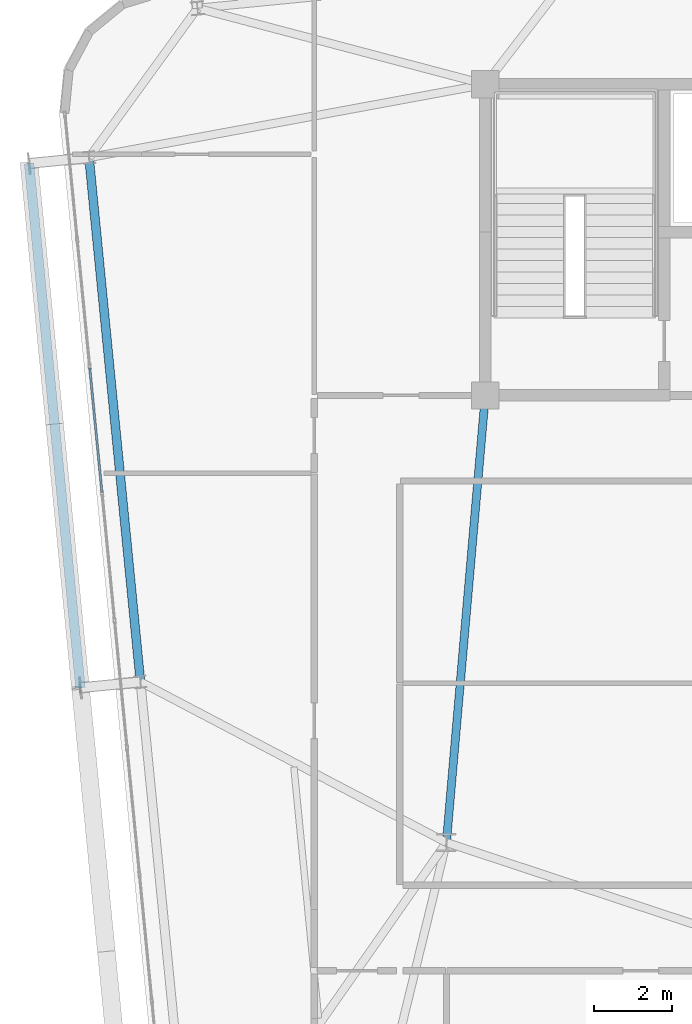
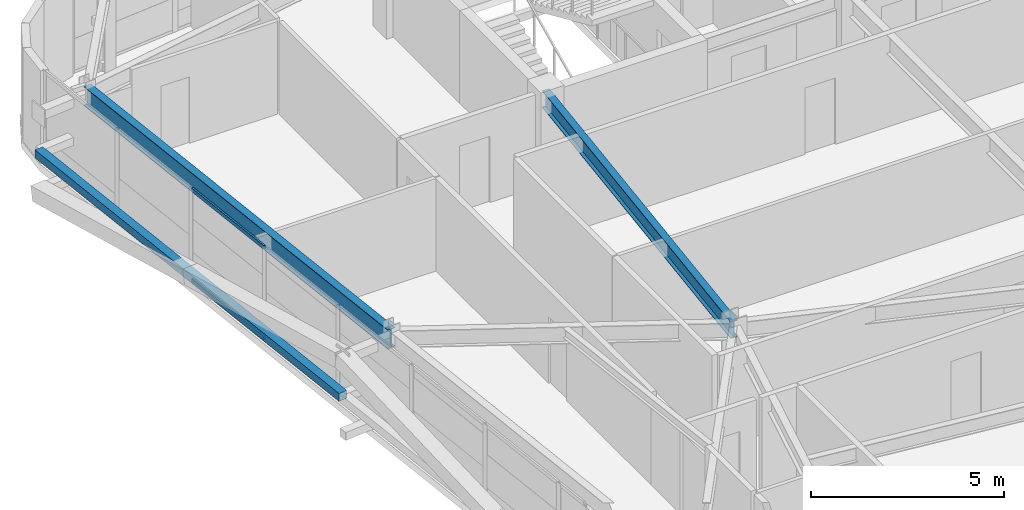
# One storey, part 14 of 52: 3 members, 2 beams, 1 element without a shape of its own.
"""IFC4 building model written with IfcOpenShell, lengths in metres."""

from ifc_helpers import new_model, si_unit, direction, frame, origin, origin_2d, place, context, subcontext, project, spatial, hollow_rectangle, i_section, extrude, source, transform, mapped, material, layer, layer_set, material_profile, profile_set, type_object, element, aggregate, save


model = new_model("IFC4")

# Units and contexts
model_context = context("Model", 3, precision=1e-05, world=origin(), true_north=direction((0.0, 1.0)))
body_context = subcontext(model_context, "Body", "Model", "MODEL_VIEW")
ifc_project = project(units=[si_unit("LENGTHUNIT", "METRE"), si_unit("AREAUNIT", "SQUARE_METRE"), si_unit("VOLUMEUNIT", "CUBIC_METRE"), si_unit("PLANEANGLEUNIT", "RADIAN"), si_unit("MASSUNIT", "GRAM", prefix="KILO")], contexts=[model_context])

# Site, building, storey
site_placement = place(None, origin())
site = spatial("IfcSite", under=ifc_project, at=site_placement, CompositionType="ELEMENT")
building_placement = place(site_placement, origin())
building = spatial("IfcBuilding", under=site, at=building_placement, Name="Taldren Reach Tower", CompositionType="ELEMENT")
storey_placement = place(building_placement, frame((0.0, 0.0, 74.550048828125)))
storey = spatial("IfcBuildingStorey", under=building, at=storey_placement, Name="L22", CompositionType="ELEMENT", Elevation=74.550048828125)

# Beams
ifc_material_1 = material(Name="Steel Gr 350 (350PLUS)", Category="steel")
ifc_material_profile_1 = material_profile(ifc_material_1, i_section(OverallWidth=0.208984375, OverallDepth=0.532958984375, WebThickness=0.01025390625, FlangeThickness=0.015625, at=origin_2d()), Name="530UB92.4")
ifc_profile_set_1 = profile_set([ifc_material_profile_1], Name="Steel Gr 350 (350PLUS)")
beam_type_1 = type_object("IfcBeamType", Name="BM-UB530A", PredefinedType="BEAM", material=ifc_profile_set_1)
shared_shape_1 = source(origin(), body_context, "Body", "SweptSolid", [
    extrude(i_section(OverallWidth=0.208984375, OverallDepth=0.532958984375, WebThickness=0.01025390625, FlangeThickness=0.015625, at=origin_2d()), origin(), (0.0, 0.0, 1.0), 11.54345703125),
])
beam_1_placement = place(storey_placement, frame((19.0, 24.0, 2.663330078125), z_axis=(-0.086629616365, -0.996240588196, 0.0), x_axis=(0.996240588196, -0.086629616365, 0.0)))
element("IfcBeam", 1, at=beam_1_placement, inside=storey, type_object=beam_type_1, Name="Core-spine girder L22-SP09", PredefinedType="BEAM", context=body_context, shape_type="MappedRepresentation", body=[
    mapped(shared_shape_1, transform((0.0, 0.0, 0.0), scale=1.0)),
])
ifc_material_profile_2 = material_profile(ifc_material_1, i_section(OverallWidth=0.22802734375, OverallDepth=0.60205078125, WebThickness=0.010498046875, FlangeThickness=0.014892578125, at=origin_2d()), Name="610UB101")
ifc_profile_set_2 = profile_set([ifc_material_profile_2], Name="Steel Gr 350 (350PLUS)")
beam_type_2 = type_object("IfcBeamType", Name="BM-UB610B", PredefinedType="BEAM", material=ifc_profile_set_2)
shared_shape_2 = source(origin(), body_context, "Body", "SweptSolid", [
    extrude(i_section(OverallWidth=0.22802734375, OverallDepth=0.60205078125, WebThickness=0.010498046875, FlangeThickness=0.014892578125, at=origin_2d()), origin(), (0.0, 0.0, 1.0), 13.550048828125),
])
beam_2_placement = place(storey_placement, frame((8.808349609375, 30.116455078125, 2.62890625), z_axis=(0.097584021339, -0.995227290009, 0.0), x_axis=(0.995227290009, 0.097584021339, 0.0)))
element("IfcBeam", 2, at=beam_2_placement, inside=storey, type_object=beam_type_2, Name="Perimeter gable girder B2 W3-W2 L22", PredefinedType="BEAM", context=body_context, shape_type="MappedRepresentation", body=[
    mapped(shared_shape_2, transform((0.0, 0.0, 0.0), scale=1.0)),
])

# Member
ifc_material_2 = material(Name="Steel Gr 350 (C350L0)", Category="steel")
ifc_material_profile_3 = material_profile(ifc_material_2, hollow_rectangle(XDim=0.25, YDim=0.25, WallThickness=0.010009765625, at=origin_2d()), Name="250x250x10.0SHS")
ifc_profile_set_3 = profile_set([ifc_material_profile_3], Name="Steel Gr 350 (C350L0)")
member_type_1 = type_object("IfcMemberType", Name="MB-POST250", PredefinedType="POST", material=ifc_profile_set_3)
shared_shape_3 = source(origin(), body_context, "Body", "SweptSolid", [
    extrude(hollow_rectangle(XDim=0.25, YDim=0.25, WallThickness=0.010009765625, at=origin_2d()), origin(), (0.0, 0.0, 1.0), 13.550048828125),
])
member_1_placement = place(storey_placement, frame((8.587890625, 16.479736328125, 1.43505859375), z_axis=(-0.097584021339, 0.995227290009, 0.0), x_axis=(-0.995227290009, -0.097584021339, 0.0)))
element("IfcMember", 3, at=member_1_placement, inside=storey, type_object=member_type_1, Name="Exoskeleton mid-height ring chord B2-W2 L22", PredefinedType="POST", context=body_context, shape_type="MappedRepresentation", body=[
    mapped(shared_shape_3, transform((0.0, 0.0, 0.0), scale=1.0)),
])

# Curtain wall, members
ifc_material_3 = material(Name="Aluminium and Low-E Glass Unitised System", Category="aluminium")
ifc_layer = layer(ifc_material_3, 0.159912109375)
ifc_layer_set = layer_set([ifc_layer], Name="Aluminium and Low-E Glass Unitised System")
curtain_wall_type = type_object("IfcCurtainWallType", Name="CW-SYS-3", PredefinedType="NOTDEFINED", material=ifc_layer_set)
curtain_wall_placement = place(storey_placement, origin())
curtain_wall = element("IfcCurtainWall", 4, at=curtain_wall_placement, inside=storey, type_object=curtain_wall_type, Name="Unitised curtain wall CW-L22-W", PredefinedType="NOTDEFINED")
ifc_material_4 = material(Name="Anodised Aluminium 6063-T6", Category="aluminium")
ifc_material_profile_4 = material_profile(ifc_material_4, hollow_rectangle(XDim=0.054931640625, YDim=0.1201171875, WallThickness=0.0029296875, at=origin_2d()), Name="ALU-120x55x3RHS")
ifc_profile_set_4 = profile_set([ifc_material_profile_4], Name="Anodised Aluminium 6063-T6")
member_type_2 = type_object("IfcMemberType", Name="CW-TRN-135", PredefinedType="USERDEFINED", material=ifc_profile_set_4)
shared_shape_4 = source(origin(), body_context, "Body", "SweptSolid", [
    extrude(hollow_rectangle(XDim=0.054931640625, YDim=0.1201171875, WallThickness=0.0029296875, at=origin_2d()), origin(), (0.0, 0.0, 1.0), 3.212890625),
])
member_2_placement = place(storey_placement, frame((8.826416015625, 24.704345703125, 0.02734375), z_axis=(0.097569948235, -0.995228669805, 0.0), x_axis=(0.995228669805, 0.097569948235, 0.0)))
member_2 = element("IfcMember", 5, at=member_2_placement, type_object=member_type_2, Name="CW-3 transom 3.1", ObjectType="TRANSOM", PredefinedType="USERDEFINED", context=body_context, shape_type="MappedRepresentation", body=[
    mapped(shared_shape_4, transform((0.0, 0.0, 0.0), scale=1.0)),
])
member_3_placement = place(storey_placement, frame((8.826416015625, 24.704345703125, 2.90234375), z_axis=(0.097569948235, -0.995228669805, 0.0), x_axis=(0.995228669805, 0.097569948235, 0.0)))
member_3 = element("IfcMember", 6, at=member_3_placement, type_object=member_type_2, Name="CW-3 transom 3.2", ObjectType="TRANSOM", PredefinedType="USERDEFINED", context=body_context, shape_type="MappedRepresentation", body=[
    mapped(shared_shape_4, transform((0.0, 0.0, 0.0), scale=1.0)),
])
aggregate(curtain_wall, [member_2, member_3])

save(model, "model.ifc")
